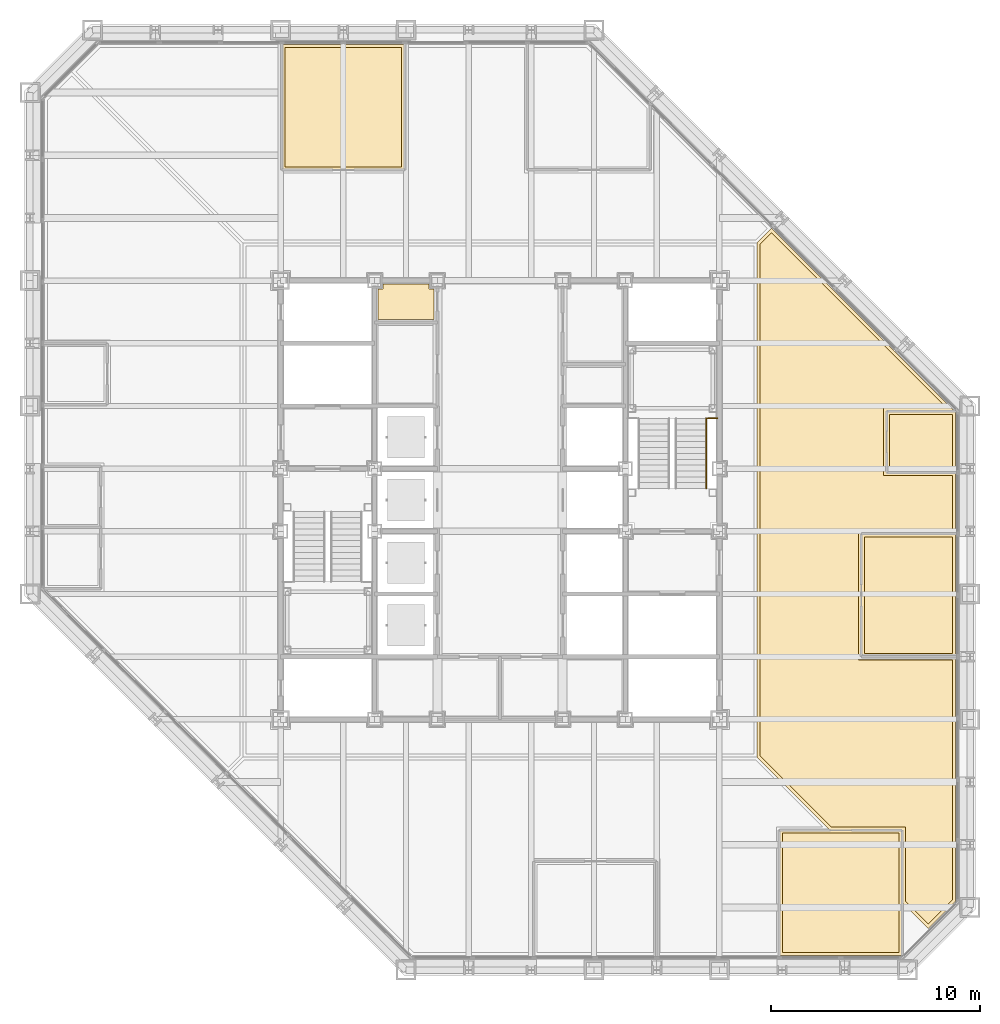
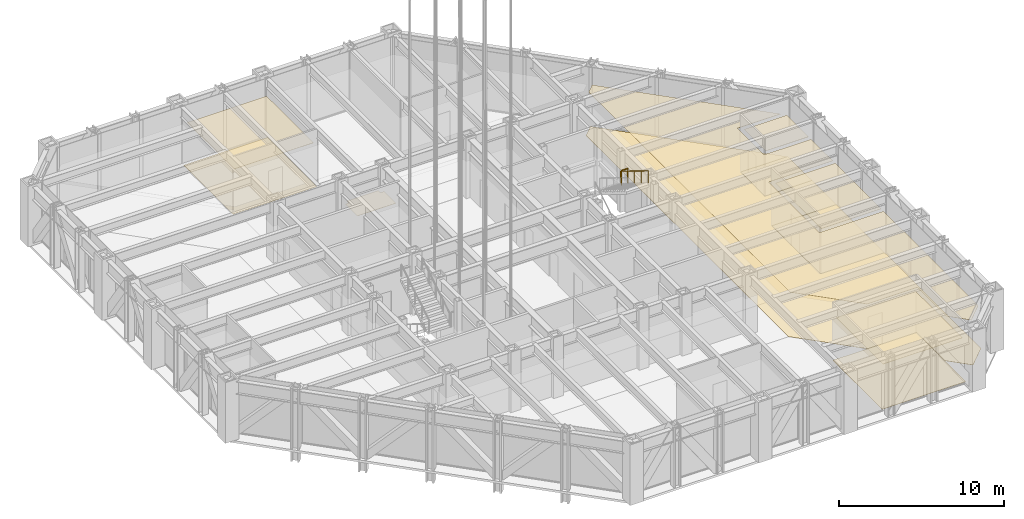
# One storey, part 16 of 26: 11 coverings, 2 railings.
"""IFC4 building model written with IfcOpenShell, lengths in metres."""

from ifc_helpers import new_model, si_unit, direction, frame, origin, origin_2d, place, context, subcontext, project, spatial, polyline, circle, outline, extrude, material, layer, layer_set, type_object, element, save


model = new_model("IFC4")

# Units and contexts
model_context = context("Model", 3, precision=1e-05, world=origin(), true_north=direction((0.0, 1.0)))
body_context = subcontext(model_context, "Body", "Model", "MODEL_VIEW")
ifc_project = project(units=[si_unit("LENGTHUNIT", "METRE"), si_unit("AREAUNIT", "SQUARE_METRE"), si_unit("VOLUMEUNIT", "CUBIC_METRE"), si_unit("PLANEANGLEUNIT", "RADIAN"), si_unit("MASSUNIT", "GRAM", prefix="KILO")], contexts=[model_context])

# Site, building, storey
site_placement = place(None, origin())
site = spatial("IfcSite", under=ifc_project, at=site_placement, CompositionType="ELEMENT")
building_placement = place(site_placement, origin())
building = spatial("IfcBuilding", under=site, at=building_placement, Name="Chuquiago Exchange Tower", CompositionType="ELEMENT")
storey_placement = place(building_placement, frame((0.0, 0.0, 102.300048828125)))
storey = spatial("IfcBuildingStorey", under=building, at=storey_placement, Name="L21", CompositionType="ELEMENT", Elevation=102.300048828125)

# Coverings
ifc_material_1 = material(Name="Mineral fibre tile, 600 x 600, on pale metal grid", Category="mineral fibre")
ifc_layer_1 = layer(ifc_material_1, 0.02001953125)
ifc_layer_set_1 = layer_set([ifc_layer_1], Name="CL1 suspended tile ceiling 20")
covering_type_1 = type_object("IfcCoveringType", Name="CL1 suspended tile ceiling 20", PredefinedType="CEILING", material=ifc_layer_set_1)
covering_1_placement = place(storey_placement, frame((0.0, 0.0, 3.199951171875)))
element("IfcCovering", 1, at=covering_1_placement, inside=storey, type_object=covering_type_1, Name="Ceiling Conference room", PredefinedType="CEILING", context=body_context, shape_type="SweptSolid", body=[
    extrude(outline(polyline([(36.025634765625, 0.85009765625), (36.025634765625, 6.550048828125), (41.6015625, 6.550048828125), (41.6015625, 0.85009765625), (36.025634765625, 0.85009765625)])), origin(), (0.0, 0.0, 1.0), 0.02001953125),
])
covering_2_placement = place(storey_placement, frame((0.0, 0.0, 3.199951171875)))
element("IfcCovering", 2, at=covering_2_placement, inside=storey, type_object=covering_type_1, Name="Ceiling Meeting room", PredefinedType="CEILING", context=body_context, shape_type="SweptSolid", body=[
    extrude(outline(polyline([(39.949951171875, 15.14990234375), (39.949951171875, 20.7255859375), (44.14990234375, 20.7255859375), (44.14990234375, 15.14990234375), (39.949951171875, 15.14990234375)])), origin(), (0.0, 0.0, 1.0), 0.02001953125),
])
covering_3_placement = place(storey_placement, frame((0.0, 0.0, 3.199951171875)))
element("IfcCovering", 3, at=covering_3_placement, inside=storey, type_object=covering_type_1, Name="Ceiling Pantry", PredefinedType="CEILING", context=body_context, shape_type="SweptSolid", body=[
    extrude(outline(polyline([(44.14990234375, 23.963623046875), (41.14990234375, 23.963623046875), (41.14990234375, 26.6015625), (44.14990234375, 26.6015625), (44.14990234375, 23.963623046875)])), origin(), (0.0, 0.0, 1.0), 0.02001953125),
])
covering_4_placement = place(storey_placement, frame((0.0, 0.0, 3.199951171875)))
element("IfcCovering", 4, at=covering_4_placement, inside=storey, type_object=covering_type_1, Name="Ceiling Conference room", PredefinedType="CEILING", context=body_context, shape_type="SweptSolid", body=[
    extrude(outline(polyline([(17.787841796875, 38.449951171875), (12.212158203125, 38.449951171875), (12.212158203125, 44.14990234375), (17.787841796875, 44.14990234375), (17.787841796875, 38.449951171875)])), origin(), (0.0, 0.0, 1.0), 0.02001953125),
])
covering_5_placement = place(storey_placement, frame((0.0, 0.0, 3.199951171875)))
element("IfcCovering", 5, at=covering_5_placement, inside=storey, type_object=covering_type_1, Name="Ceiling Business centre", PredefinedType="CEILING", context=body_context, shape_type="SweptSolid", body=[
    extrude(outline(polyline([(40.85009765625, 26.901611328125), (40.85009765625, 23.66357421875), (44.14990234375, 23.66357421875), (44.14990234375, 21.025634765625), (39.64990234375, 21.025634765625), (39.64990234375, 14.85009765625), (44.14990234375, 14.85009765625), (44.14990234375, 3.35205078125), (43.0048828125, 2.20703125), (41.901611328125, 3.310546875), (41.901611328125, 6.85009765625), (38.362060546875, 6.85009765625), (34.949951171875, 10.26220703125), (34.949951171875, 34.73779296875), (35.5048828125, 35.29296875), (43.896484375, 26.901611328125), (40.85009765625, 26.901611328125)])), origin(), (0.0, 0.0, 1.0), 0.02001953125),
])
ifc_material_2 = material(Name="Moisture resistant plasterboard on metal frame", Category="gypsum")
ifc_layer_2 = layer(ifc_material_2, 0.014892578125)
ifc_layer_set_2 = layer_set([ifc_layer_2], Name="CL2 moisture resistant ceiling 15")
covering_type_2 = type_object("IfcCoveringType", Name="CL2 moisture resistant ceiling 15", PredefinedType="CEILING", material=ifc_layer_set_2)
covering_6_placement = place(storey_placement, frame((0.0, 0.0, 2.599853515625)))
element("IfcCovering", 6, at=covering_6_placement, inside=storey, type_object=covering_type_2, Name="Ceiling Staff shower room", PredefinedType="CEILING", context=body_context, shape_type="SweptSolid", body=[
    extrude(outline(polyline([(16.64990234375, 31.14990234375), (16.64990234375, 32.60009765625), (16.89990234375, 32.60009765625), (16.89990234375, 32.85009765625), (19.10009765625, 32.85009765625), (19.10009765625, 32.60009765625), (19.35009765625, 32.60009765625), (19.35009765625, 31.14990234375), (16.64990234375, 31.14990234375)])), origin(), (0.0, 0.0, 1.0), 0.01513671875),
])
ifc_material_3 = material(Name="Porcelain floor tile, 600 x 600, on adhesive bed", Category="ceramic")
ifc_layer_3 = layer(ifc_material_3, 0.014892578125)
ifc_layer_set_3 = layer_set([ifc_layer_3], Name="FL2 porcelain tile 15")
covering_type_3 = type_object("IfcCoveringType", Name="FL2 porcelain tile 15", PredefinedType="FLOORING", material=ifc_layer_set_3)
covering_7_placement = place(storey_placement, origin())
element("IfcCovering", 7, at=covering_7_placement, inside=storey, type_object=covering_type_3, Name="Floor finish Conference room", PredefinedType="FLOORING", context=body_context, shape_type="SweptSolid", body=[
    extrude(outline(polyline([(41.710205078125, 0.699951171875), (35.875732421875, 0.699951171875), (35.875732421875, 6.699951171875), (41.75146484375, 6.699951171875), (41.75146484375, 0.741455078125), (41.710205078125, 0.699951171875)])), origin(), (0.0, 0.0, 1.0), 0.014892578125),
])
covering_8_placement = place(storey_placement, origin())
element("IfcCovering", 8, at=covering_8_placement, inside=storey, type_object=covering_type_3, Name="Floor finish Meeting room", PredefinedType="FLOORING", context=body_context, shape_type="SweptSolid", body=[
    extrude(outline(polyline([(44.300048828125, 15.0), (39.800048828125, 15.0), (39.800048828125, 20.875732421875), (44.300048828125, 20.875732421875), (44.300048828125, 15.0)])), origin(), (0.0, 0.0, 1.0), 0.014892578125),
])
covering_9_placement = place(storey_placement, origin())
element("IfcCovering", 9, at=covering_9_placement, inside=storey, type_object=covering_type_3, Name="Floor finish Pantry", PredefinedType="FLOORING", context=body_context, shape_type="SweptSolid", body=[
    extrude(outline(polyline([(44.300048828125, 26.710205078125), (44.300048828125, 23.813720703125), (41.0, 23.813720703125), (41.0, 26.75146484375), (44.258544921875, 26.75146484375), (44.300048828125, 26.710205078125)])), origin(), (0.0, 0.0, 1.0), 0.014892578125),
])
covering_10_placement = place(storey_placement, origin())
element("IfcCovering", 10, at=covering_10_placement, inside=storey, type_object=covering_type_3, Name="Floor finish Conference room", PredefinedType="FLOORING", context=body_context, shape_type="SweptSolid", body=[
    extrude(outline(polyline([(17.93798828125, 44.300048828125), (17.93798828125, 38.300048828125), (12.06201171875, 38.300048828125), (12.06201171875, 44.300048828125), (17.93798828125, 44.300048828125)])), origin(), (0.0, 0.0, 1.0), 0.014892578125),
])
covering_11_placement = place(storey_placement, origin())
element("IfcCovering", 11, at=covering_11_placement, inside=storey, type_object=covering_type_3, Name="Floor finish Business centre", PredefinedType="FLOORING", context=body_context, shape_type="SweptSolid", body=[
    extrude(outline(polyline([(44.258544921875, 26.75146484375), (41.0, 26.75146484375), (41.0, 23.813720703125), (44.300048828125, 23.813720703125), (44.300048828125, 20.875732421875), (39.800048828125, 20.875732421875), (39.800048828125, 15.0), (44.300048828125, 15.0), (44.300048828125, 3.289794921875), (43.0048828125, 1.9951171875), (41.75146484375, 3.24853515625), (41.75146484375, 6.699951171875), (38.300048828125, 6.699951171875), (34.800048828125, 10.199951171875), (34.800048828125, 34.800048828125), (35.5048828125, 35.5048828125), (44.258544921875, 26.75146484375)])), origin(), (0.0, 0.0, 1.0), 0.014892578125),
])

# Railings
ifc_material_4 = material(Name="Pale metal guard with safety glass infill", Category="glass")
railing_type_1 = type_object("IfcRailingType", Name="GR1 guard 1100", PredefinedType="GUARDRAIL", material=ifc_material_4)
railing_1_placement = place(storey_placement, frame((32.445068359375, 26.409912109375, 2.25)))
element("IfcRailing", 12, at=railing_1_placement, inside=storey, type_object=railing_type_1, Name="Guard ST2 L21 landing 2", PredefinedType="GUARDRAIL", context=body_context, shape_type="SweptSolid", body=[
    extrude(circle(Radius=0.02392578125, at=origin_2d()), frame((0.0, 0.0, 1.076171875), z_axis=(1.0, 0.0, 0.0), x_axis=(0.0, 1.0, 0.0)), (0.0, 0.0, 1.0), 0.454833984375),
    extrude(circle(Radius=0.02099609375, at=origin_2d()), origin(), (0.0, 0.0, 1.0), 1.052001953125),
    extrude(circle(Radius=0.02099609375, at=origin_2d()), frame((0.454833984375, 0.0, 0.0)), (0.0, 0.0, 1.0), 1.052001953125),
])
ifc_material_5 = material(Name="Pale metal handrail", Category="steel")
railing_type_2 = type_object("IfcRailingType", Name="HR1 handrail 900", PredefinedType="HANDRAIL", material=ifc_material_5)
railing_2_placement = place(storey_placement, frame((32.364990234375, 26.409912109375, 2.423095703125)))
element("IfcRailing", 13, at=railing_2_placement, inside=storey, type_object=railing_type_2, Name="Handrail ST2 L21 flight 2", PredefinedType="HANDRAIL", context=body_context, shape_type="SweptSolid", body=[
    extrude(circle(Radius=0.02392578125, at=origin_2d()), frame((0.0, 0.0, 0.8759765625), z_axis=(0.0, -0.850606129759, 0.525803396734), x_axis=(1.0, 0.0, 0.0)), (0.0, 0.0, 1.0), 3.949951171875),
    extrude(circle(Radius=0.02099609375, at=origin_2d()), origin(), (0.0, 0.0, 1.0), 0.851806640625),
    extrude(circle(Radius=0.02099609375, at=origin_2d()), frame((0.0, -0.83984375, 0.519287109375)), (0.0, 0.0, 1.0), 0.851806640625),
    extrude(circle(Radius=0.02099609375, at=origin_2d()), frame((0.0, -1.679931640625, 1.03857421875)), (0.0, 0.0, 1.0), 0.851806640625),
    extrude(circle(Radius=0.02099609375, at=origin_2d()), frame((0.0, -2.52001953125, 1.5576171875)), (0.0, 0.0, 1.0), 0.851806640625),
    extrude(circle(Radius=0.02099609375, at=origin_2d()), frame((0.0, -3.35986328125, 2.076904296875)), (0.0, 0.0, 1.0), 0.851806640625),
])

save(model, "model.ifc")
